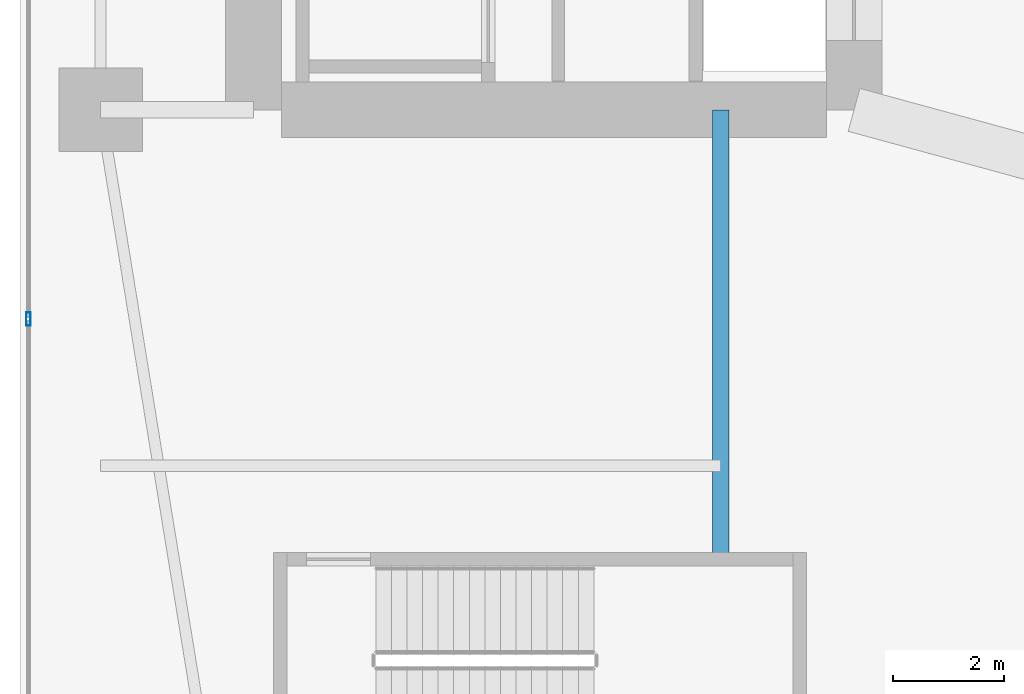
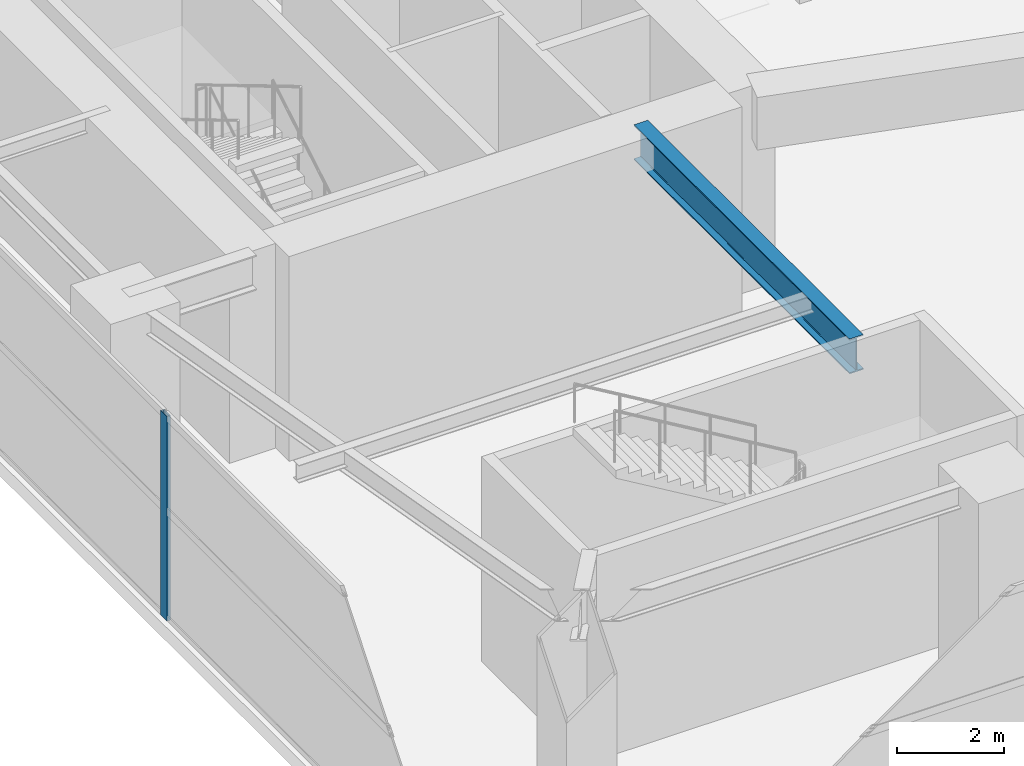
# One storey, part 6 of 35: 1 beam, 1 member, 1 element without a shape of its own.
"""IFC4 building model written with IfcOpenShell, lengths in metres."""

import ifcopenshell
import ifcopenshell.guid

model = None  # the IFC model being written
_history = None  # IfcOwnerHistory: only IFC2X3 demands one
_inside = {}  # id of a spatial element -> (the spatial element, [elements in it])
_under = {}  # id of a project, library or spatial element -> (it, [spatial elements below it])
_declared = {}  # id of a project -> (the project, [libraries it declares])
_typed = {}  # id of a type object -> (the type object, [elements of that type])
_made_of = {}  # id of a material, layer set ... -> (it, [elements and type objects made of it])


def new_model(schema):
    """Start an empty IFC model of exactly this schema.

    Asked for "IFC4X3", IfcOpenShell would pick the latest addendum, in which some entities
    have other attributes; the version numbers below select the first issue.
    IFC2X3 requires an IfcOwnerHistory on every rooted entity: one is made here for all.
    """
    global model, _history
    if schema == "IFC4X3":
        model = ifcopenshell.file(schema_version=(4, 3, 0, 0))
    else:
        model = ifcopenshell.file(schema=schema)
    _inside.clear()
    _under.clear()
    _declared.clear()
    _typed.clear()
    _made_of.clear()
    _history = None
    if model.schema == "IFC2X3":
        org = make("IfcOrganization", Name="unknown")
        user = make(
            "IfcPersonAndOrganization",
            ThePerson=make("IfcPerson", FamilyName="unknown"),
            TheOrganization=org,
        )
        app = make(
            "IfcApplication",
            ApplicationDeveloper=org,
            Version="unknown",
            ApplicationFullName="unknown",
            ApplicationIdentifier="unknown",
        )
        _history = make(
            "IfcOwnerHistory",
            OwningUser=user,
            OwningApplication=app,
            ChangeAction="ADDED",
            CreationDate=0,
        )
    return model


def make(cls, **values):
    """One entity of the class cls with the attributes given. An attribute that is None is left unset."""
    return model.create_entity(
        cls, **{name: value for name, value in values.items() if value is not None}
    )


def rooted(cls, **values):
    """An entity with a GlobalId (a new one), such as an element, a storey or a relation."""
    return make(cls, GlobalId=ifcopenshell.guid.new(), OwnerHistory=_history, **values)


def si_unit(unit_type, name, prefix=None):
    """IfcSIUnit, for example si_unit("LENGTHUNIT", "METRE", prefix="MILLI")."""
    return make("IfcSIUnit", UnitType=unit_type, Prefix=prefix, Name=name)


def assignment(units):
    """IfcUnitAssignment: the units of a project."""
    return None if units is None else make("IfcUnitAssignment", Units=units)


def point(xyz):
    """IfcCartesianPoint."""
    return None if xyz is None else make("IfcCartesianPoint", Coordinates=xyz)


def direction(xyz):
    """IfcDirection."""
    return None if xyz is None else make("IfcDirection", DirectionRatios=xyz)


def frame(location, z_axis=None, x_axis=None):
    """IfcAxis2Placement3D, a coordinate frame: its origin and axes. An axis left out is left unset."""
    return make(
        "IfcAxis2Placement3D",
        Location=point(location),
        Axis=direction(z_axis),
        RefDirection=direction(x_axis),
    )


def frame_2d(location, x_axis=None):
    """IfcAxis2Placement2D, a coordinate frame in the plane: its origin and x axis."""
    return make(
        "IfcAxis2Placement2D", Location=point(location), RefDirection=direction(x_axis)
    )


def origin():
    """The frame at (0, 0, 0) with its axes left unset."""
    return frame((0.0, 0.0, 0.0))


def origin_2d():
    """The frame at (0, 0) in the plane with its x axis left unset."""
    return frame_2d((0.0, 0.0))


def place(relative_to, where):
    """IfcLocalPlacement: puts the frame where relative to a parent placement (None: the world)."""
    return make(
        "IfcLocalPlacement", PlacementRelTo=relative_to, RelativePlacement=where
    )


def context(
    kind, dimensions, precision=None, world=None, true_north=None, identifier=None
):
    """IfcGeometricRepresentationContext, for example the 3D "Model" context."""
    return make(
        "IfcGeometricRepresentationContext",
        ContextIdentifier=identifier,
        ContextType=kind,
        CoordinateSpaceDimension=dimensions,
        Precision=precision,
        WorldCoordinateSystem=world,
        TrueNorth=true_north,
    )


def subcontext(parent, identifier, kind, view, scale=None):
    """IfcGeometricRepresentationSubContext, for example "Body" below "Model"."""
    return make(
        "IfcGeometricRepresentationSubContext",
        ContextIdentifier=identifier,
        ContextType=kind,
        ParentContext=parent,
        TargetScale=scale,
        TargetView=view,
    )


def project(units=None, contexts=None):
    """IfcProject with its units and contexts."""
    return rooted(
        "IfcProject",
        Name="project",
        RepresentationContexts=contexts,
        UnitsInContext=assignment(units),
    )


def spatial(cls, under=None, at=None, **own):
    """A site, building, storey or space (cls), placed at a placement, below another one or the project."""
    s = rooted(cls, ObjectPlacement=at, **own)
    if under is not None:
        _under.setdefault(under.id(), (under, []))[1].append(s)
    return s


def profile(cls, at=None, kind="AREA", **sizes):
    """A parametric profile (cls). Its sizes go by their IFC names, for example OverallWidth=200.0."""
    return make(cls, ProfileType=kind, Position=at, **sizes)


def hollow_rectangle(**sizes):
    """IfcRectangleHollowProfileDef."""
    return profile("IfcRectangleHollowProfileDef", **sizes)


def i_section(**sizes):
    """IfcIShapeProfileDef."""
    return profile("IfcIShapeProfileDef", **sizes)


def extrude(swept, where, along, depth):
    """IfcExtrudedAreaSolid: the profile swept, set in the frame where, extruded along a direction by depth."""
    return make(
        "IfcExtrudedAreaSolid",
        SweptArea=swept,
        Position=where,
        ExtrudedDirection=direction(along),
        Depth=depth,
    )


def shape(context_of_items, identifier, shape_type, items):
    """IfcShapeRepresentation: the items that make up one representation, for example the "Body"."""
    return make(
        "IfcShapeRepresentation",
        ContextOfItems=context_of_items,
        RepresentationIdentifier=identifier,
        RepresentationType=shape_type,
        Items=items,
    )


def material(Name=None, Category=None):
    """IfcMaterial."""
    return make("IfcMaterial", Name=Name, Category=Category)


def layer(
    of_material, thickness, ventilated=None, Name=None, Category=None, Priority=None
):
    """IfcMaterialLayer: one layer of a wall or slab, of a material (None: an air gap)."""
    return make(
        "IfcMaterialLayer",
        Material=of_material,
        LayerThickness=thickness,
        IsVentilated=ventilated,
        Name=Name,
        Category=Category,
        Priority=Priority,
    )


def layer_set(layers, Name=None):
    """IfcMaterialLayerSet."""
    return make("IfcMaterialLayerSet", MaterialLayers=layers, LayerSetName=Name)


def material_profile(
    of_material, cross_section, Name=None, Category=None, Priority=None
):
    """IfcMaterialProfile: a cross section and its material."""
    return make(
        "IfcMaterialProfile",
        Name=Name,
        Material=of_material,
        Profile=cross_section,
        Priority=Priority,
        Category=Category,
    )


def profile_set(profiles, Name=None, composite=None):
    """IfcMaterialProfileSet."""
    return make(
        "IfcMaterialProfileSet",
        Name=Name,
        MaterialProfiles=profiles,
        CompositeProfile=composite,
    )


def made_of(thing, what):
    """Note that an element or type object is made of a material, layer set ...; save() writes the relation."""
    if what is not None:
        _made_of.setdefault(what.id(), (what, []))[1].append(thing)
    return thing


def type_object(cls, material=None, **own):
    """A type object (cls), such as IfcWallType, which elements share."""
    return made_of(rooted(cls, **own), material)


def element(
    cls,
    number,
    at=None,
    inside=None,
    cuts=None,
    type_object=None,
    material=None,
    context=None,
    identifier="Body",
    shape_type=None,
    held_by="IfcProductDefinitionShape",
    body=None,
    shapes=None,
    **own,
):
    """One element of the class cls, such as IfcWall. Its Tag is "e" and its number.

    at: its placement. inside: the storey or other place that contains it. cuts: it is an
    opening in that element (IfcRelVoidsElement). A single representation is given by context,
    identifier, shape_type and body (its items); several are given by shapes. held_by: the class
    of the entity that holds the representations. save() writes the other relations.
    """
    e = rooted(cls, Tag="e%d" % number, ObjectPlacement=at, **own)
    if body is not None:
        shapes = [shape(context, identifier, shape_type, body)]
    if shapes is not None:
        e.Representation = make(held_by, Representations=shapes)
    if inside is not None:
        _inside.setdefault(inside.id(), (inside, []))[1].append(e)
    if cuts is not None:
        rooted(
            "IfcRelVoidsElement", RelatingBuildingElement=cuts, RelatedOpeningElement=e
        )
    if type_object is not None:
        _typed.setdefault(type_object.id(), (type_object, []))[1].append(e)
    return made_of(e, material)


def aggregate(whole, parts):
    """IfcRelAggregates: a whole, such as a stair, and the parts it consists of."""
    return rooted("IfcRelAggregates", RelatingObject=whole, RelatedObjects=parts)


def save(model, path):
    """Write the relations noted so far, then the file.

    IfcRelAggregates (storeys below a building ...), IfcRelContainedInSpatialStructure (elements
    in a storey), IfcRelDefinesByType, IfcRelAssociatesMaterial and IfcRelDeclares: one each for
    every whole, place, type object, material and project.
    """
    for whole, parts in _under.values():
        aggregate(whole, parts)
    for where, things in _inside.values():
        rooted(
            "IfcRelContainedInSpatialStructure",
            RelatedElements=things,
            RelatingStructure=where,
        )
    for kind, things in _typed.values():
        rooted("IfcRelDefinesByType", RelatedObjects=things, RelatingType=kind)
    for what, things in _made_of.values():
        rooted("IfcRelAssociatesMaterial", RelatedObjects=things, RelatingMaterial=what)
    for by, libraries in _declared.values():
        rooted("IfcRelDeclares", RelatingContext=by, RelatedDefinitions=libraries)
    model.write(path)


model = new_model("IFC4")

# Units and contexts
model_context = context("Model", 3, precision=1e-05, world=origin(), true_north=direction((0.0, 1.0)))
body_context = subcontext(model_context, "Body", "Model", "MODEL_VIEW")
ifc_project = project(units=[si_unit("LENGTHUNIT", "METRE"), si_unit("AREAUNIT", "SQUARE_METRE"), si_unit("VOLUMEUNIT", "CUBIC_METRE"), si_unit("PLANEANGLEUNIT", "RADIAN"), si_unit("MASSUNIT", "GRAM", prefix="KILO")], contexts=[model_context])

# Site, building, storey
site_placement = place(None, origin())
site = spatial("IfcSite", under=ifc_project, at=site_placement, CompositionType="ELEMENT")
building_placement = place(site_placement, origin())
building = spatial("IfcBuilding", under=site, at=building_placement, Name="Calvorn Quay Hotel", CompositionType="ELEMENT")
storey_placement = place(building_placement, frame((0.0, 0.0, 12.0)))
storey = spatial("IfcBuildingStorey", under=building, at=storey_placement, Name="L02", CompositionType="ELEMENT", Elevation=12.0)

# Beam
ifc_material_1 = material(Name="Steel Q390GJC", Category="steel")
ifc_material_profile_1 = material_profile(ifc_material_1, i_section(OverallWidth=0.300048828125, OverallDepth=0.800048828125, WebThickness=0.013916015625, FlangeThickness=0.02587890625, FilletRadius=0.02392578125, at=origin_2d()), Name="HN800x300x14x26")
ifc_profile_set_1 = profile_set([ifc_material_profile_1], Name="Steel Q390GJC")
beam_type = type_object("IfcBeamType", Name="BM-GIRD-POD", PredefinedType="BEAM", material=ifc_profile_set_1)
beam_placement = place(storey_placement, frame((12.60009765625, 8.719970703125, 4.280029296875), z_axis=(0.0, 1.0, 0.0), x_axis=(-1.0, 0.0, 0.0)))
element("IfcBeam", 1, at=beam_placement, inside=storey, type_object=beam_type, Name="Beam BG-L02-S1", PredefinedType="BEAM", context=body_context, shape_type="SweptSolid", body=[
    extrude(i_section(OverallWidth=0.300048828125, OverallDepth=0.800048828125, WebThickness=0.013916015625, FlangeThickness=0.02587890625, FilletRadius=0.02392578125, at=origin_2d()), origin(), (0.0, 0.0, 1.0), 8.080078125),
])

# Curtain wall, member
ifc_material_2 = material(Name="Pale Anodised Aluminium and Low-E Glass", Category="aluminium")
ifc_layer = layer(ifc_material_2, 0.219970703125)
ifc_layer_set = layer_set([ifc_layer], Name="CW-SYS-POD")
curtain_wall_type = type_object("IfcCurtainWallType", Name="CW-SYS-POD", PredefinedType="NOTDEFINED", material=ifc_layer_set)
curtain_wall_placement = place(storey_placement, origin())
curtain_wall = element("IfcCurtainWall", 2, at=curtain_wall_placement, inside=storey, type_object=curtain_wall_type, Name="Podium Curtain Wall L02-W1", PredefinedType="NOTDEFINED")
ifc_material_3 = material(Name="Pale Anodised Aluminium 6063-T6", Category="aluminium")
ifc_material_profile_2 = material_profile(ifc_material_3, hollow_rectangle(XDim=0.080078125, YDim=0.239990234375, WallThickness=0.0048828125, at=origin_2d()), Name="ALU-M240x80x5")
ifc_profile_set_2 = profile_set([ifc_material_profile_2], Name="Pale Anodised Aluminium 6063-T6")
member_type = type_object("IfcMemberType", Name="CW-SYS-POD-MUL", PredefinedType="MULLION", material=ifc_profile_set_2)
member_placement = place(storey_placement, frame((0.14990234375, 13.0400390625, 0.0), z_axis=(0.0, 0.0, 1.0), x_axis=(-1.0, 0.0, 0.0)))
member = element("IfcMember", 3, at=member_placement, type_object=member_type, Name="CW-L02-W1 mullion 2", PredefinedType="MULLION", context=body_context, shape_type="SweptSolid", body=[
    extrude(hollow_rectangle(XDim=0.080078125, YDim=0.239990234375, WallThickness=0.0048828125, at=origin_2d()), origin(), (0.0, 0.0, 1.0), 4.679931640625),
])
aggregate(curtain_wall, [member])

save(model, "model.ifc")
